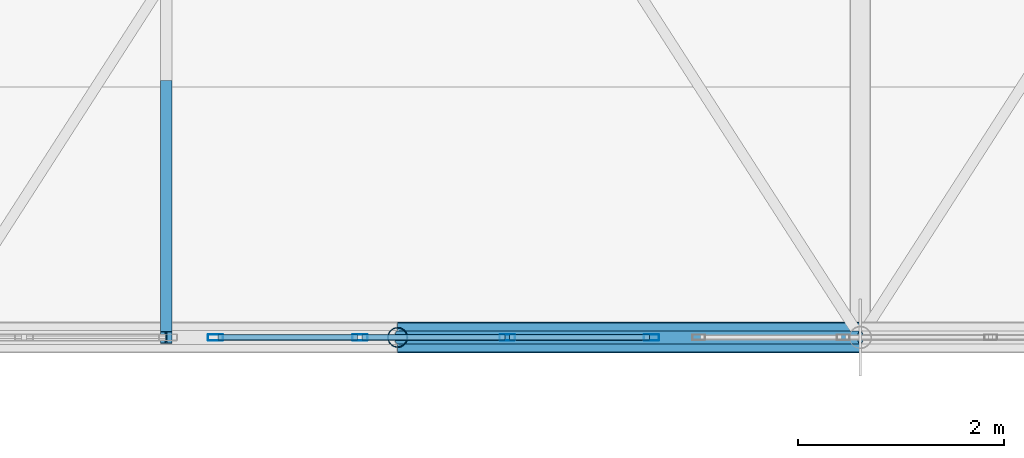
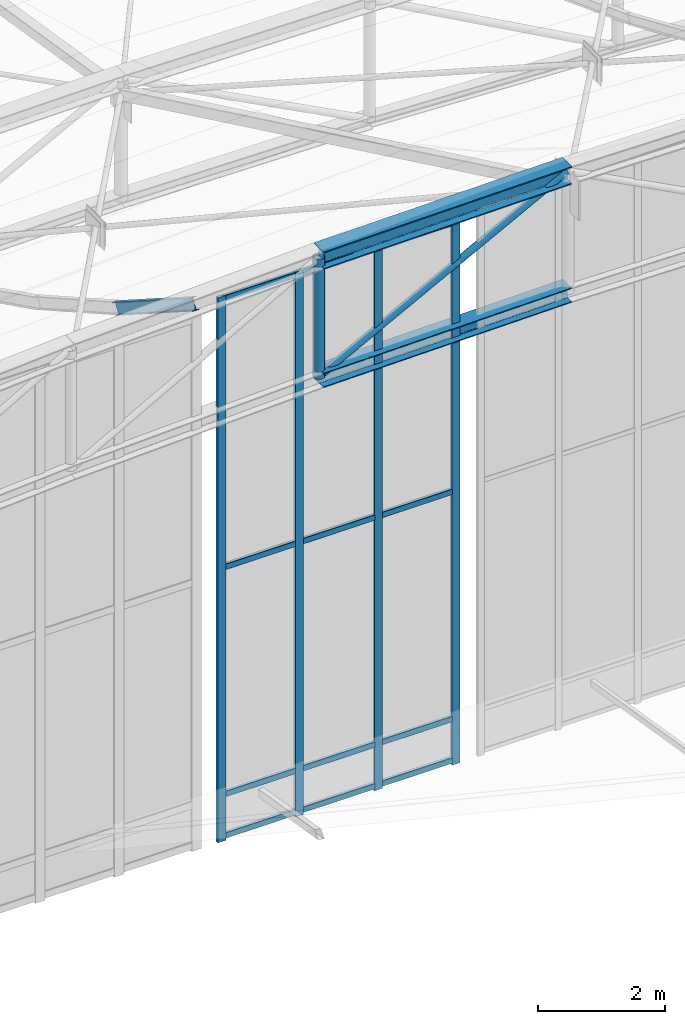
# One storey, part 141 of 262: 21 members, 1 element without a shape of its own.
"""IFC4 building model written with IfcOpenShell, lengths in metres."""

from ifc_helpers import new_model, si_unit, derived_unit, direction, frame, origin, origin_2d, place, context, subcontext, project, spatial, hollow_rectangle, hollow_circle, i_section, extrude, material, layer, layer_set, material_profile, profile_set, type_object, element, aggregate, save


model = new_model("IFC4")

# Units and contexts
model_context = context("Model", 3, precision=1e-05, world=origin(), true_north=direction((0.0, 1.0)))
body_context = subcontext(model_context, "Body", "Model", "MODEL_VIEW")
ifc_project = project(units=[si_unit("LENGTHUNIT", "METRE"), si_unit("AREAUNIT", "SQUARE_METRE"), si_unit("VOLUMEUNIT", "CUBIC_METRE"), si_unit("PLANEANGLEUNIT", "RADIAN"), si_unit("MASSUNIT", "GRAM", prefix="KILO"), derived_unit("THERMALTRANSMITTANCEUNIT", [(si_unit("POWERUNIT", "WATT"), 1), (si_unit("LENGTHUNIT", "METRE"), -2), (si_unit("THERMODYNAMICTEMPERATUREUNIT", "KELVIN"), -1)])], contexts=[model_context])

# Site, building, storey
site_placement = place(None, origin())
site = spatial("IfcSite", under=ifc_project, at=site_placement, CompositionType="ELEMENT")
building_placement = place(site_placement, origin())
building = spatial("IfcBuilding", under=site, at=building_placement, Name="Almenara Railside Exhibition Hall", CompositionType="ELEMENT")
storey_placement = place(building_placement, frame((0.0, 0.0, 21.699951171875)))
storey = spatial("IfcBuildingStorey", under=building, at=storey_placement, Name="RF", CompositionType="ELEMENT", Elevation=21.699951171875)

# Members
ifc_material_1 = material(Name="Structural steel S355JR", Category="steel")
ifc_material_profile_1 = material_profile(ifc_material_1, i_section(OverallWidth=0.280029296875, OverallDepth=0.280029296875, WebThickness=0.010498046875, FlangeThickness=0.01806640625, FilletRadius=0.02392578125, at=origin_2d()), Name="HEB 280")
ifc_profile_set_1 = profile_set([ifc_material_profile_1], Name="Structural steel S355JR")
member_type_1 = type_object("IfcMemberType", Name="Arched Gable Bottom Chord HEB 280 S355JR", PredefinedType="CHORD", material=ifc_profile_set_1)
member_1_placement = place(storey_placement, frame((160.5, 34.0, 1.538818359375), z_axis=(0.999907293085, 0.0, 0.01361635908), x_axis=(0.0, 1.0, 0.0)))
element("IfcMember", 1, at=member_1_placement, inside=storey, type_object=member_type_1, Name="MEM-BC-V2-00-05", PredefinedType="CHORD", context=body_context, shape_type="SweptSolid", body=[
    extrude(i_section(OverallWidth=0.280029296875, OverallDepth=0.280029296875, WebThickness=0.010498046875, FlangeThickness=0.01806640625, FilletRadius=0.02392578125, at=origin_2d()), origin(), (0.0, 0.0, 1.0), 4.50048828125),
])
ifc_material_profile_2 = material_profile(ifc_material_1, i_section(OverallWidth=0.300048828125, OverallDepth=0.340087890625, WebThickness=0.011962890625, FlangeThickness=0.021484375, FilletRadius=0.027099609375, at=origin_2d()), Name="HEB 340")
ifc_profile_set_2 = profile_set([ifc_material_profile_2], Name="Structural steel S355JR")
member_type_2 = type_object("IfcMemberType", Name="Arched Gable Top Chord HEB 340 S355JR", PredefinedType="CHORD", material=ifc_profile_set_2)
member_2_placement = place(storey_placement, frame((160.5, 34.0, 3.8388671875), z_axis=(0.999907293085, 0.0, 0.01361635908), x_axis=(0.0, 1.0, 0.0)))
element("IfcMember", 2, at=member_2_placement, inside=storey, type_object=member_type_2, Name="MEM-TC-V2-00-05", PredefinedType="CHORD", context=body_context, shape_type="SweptSolid", body=[
    extrude(i_section(OverallWidth=0.300048828125, OverallDepth=0.340087890625, WebThickness=0.011962890625, FlangeThickness=0.021484375, FilletRadius=0.027099609375, at=origin_2d()), origin(), (0.0, 0.0, 1.0), 4.50048828125),
])

# Curtain wall, members
ifc_material_2 = material(Name="Bronze-anodised aluminium and low-E double glazing", Category="aluminium")
ifc_layer = layer(ifc_material_2, 0.179931640625, Name="Bronze-anodised aluminium and low-E double glazing")
ifc_layer_set = layer_set([ifc_layer], Name="Bronze-anodised aluminium and low-E double glazing")
curtain_wall_type = type_object("IfcCurtainWallType", Name="Scroll Gable Tall Curtain Wall 3800x5400", PredefinedType="NOTDEFINED", material=ifc_layer_set)
curtain_wall_placement = place(storey_placement, origin())
curtain_wall = element("IfcCurtainWall", 3, at=curtain_wall_placement, inside=storey, type_object=curtain_wall_type, Name="Curtain wall CW-G1-218", PredefinedType="NOTDEFINED")
ifc_material_3 = material(Name="Bronze-anodised aluminium", Category="aluminium")
ifc_material_profile_3 = material_profile(ifc_material_3, hollow_rectangle(XDim=0.06005859375, YDim=0.14990234375, WallThickness=0.00341796875, InnerFilletRadius=0.00341796875, OuterFilletRadius=0.007080078125, at=origin_2d()), Name="ALU-MUL 60x150x3.5")
ifc_profile_set_3 = profile_set([ifc_material_profile_3], Name="Bronze-anodised aluminium")
member_type_3 = type_object("IfcMemberType", Name="Curtain Wall Mullion 60x150x3.5", PredefinedType="MULLION", material=ifc_profile_set_3)
member_3_placement = place(storey_placement, frame((158.72998046875, 34.0, -6.73486328125), z_axis=(0.0, 0.0, 1.0), x_axis=(0.0, 1.0, 0.0)))
member_3 = element("IfcMember", 4, at=member_3_placement, type_object=member_type_3, Name="CW-G1-218 mullion 1", PredefinedType="MULLION", context=body_context, shape_type="SweptSolid", body=[
    extrude(hollow_rectangle(XDim=0.06005859375, YDim=0.14990234375, WallThickness=0.00341796875, InnerFilletRadius=0.00341796875, OuterFilletRadius=0.007080078125, at=origin_2d()), origin(), (0.0, 0.0, 1.0), 10.434814453125),
])
member_4_placement = place(storey_placement, frame((160.13330078125, 34.0, -6.73486328125), z_axis=(0.0, 0.0, 1.0), x_axis=(0.0, 1.0, 0.0)))
member_4 = element("IfcMember", 5, at=member_4_placement, type_object=member_type_3, Name="CW-G1-218 mullion 2", PredefinedType="MULLION", context=body_context, shape_type="SweptSolid", body=[
    extrude(hollow_rectangle(XDim=0.06005859375, YDim=0.14990234375, WallThickness=0.00341796875, InnerFilletRadius=0.00341796875, OuterFilletRadius=0.007080078125, at=origin_2d()), origin(), (0.0, 0.0, 1.0), 10.434814453125),
])
member_5_placement = place(storey_placement, frame((161.566650390625, 34.0, -6.73486328125), z_axis=(0.0, 0.0, 1.0), x_axis=(0.0, 1.0, 0.0)))
member_5 = element("IfcMember", 6, at=member_5_placement, type_object=member_type_3, Name="CW-G1-218 mullion 3", PredefinedType="MULLION", context=body_context, shape_type="SweptSolid", body=[
    extrude(hollow_rectangle(XDim=0.06005859375, YDim=0.14990234375, WallThickness=0.00341796875, InnerFilletRadius=0.00341796875, OuterFilletRadius=0.007080078125, at=origin_2d()), origin(), (0.0, 0.0, 1.0), 10.434814453125),
])
member_6_placement = place(storey_placement, frame((162.969970703125, 34.0, -6.73486328125), z_axis=(0.0, 0.0, 1.0), x_axis=(0.0, 1.0, 0.0)))
member_6 = element("IfcMember", 7, at=member_6_placement, type_object=member_type_3, Name="CW-G1-218 mullion 4", PredefinedType="MULLION", context=body_context, shape_type="SweptSolid", body=[
    extrude(hollow_rectangle(XDim=0.06005859375, YDim=0.14990234375, WallThickness=0.00341796875, InnerFilletRadius=0.00341796875, OuterFilletRadius=0.007080078125, at=origin_2d()), origin(), (0.0, 0.0, 1.0), 10.434814453125),
])
ifc_material_profile_4 = material_profile(ifc_material_3, hollow_rectangle(XDim=0.06005859375, YDim=0.110107421875, WallThickness=0.0029296875, InnerFilletRadius=0.0029296875, OuterFilletRadius=0.006103515625, at=origin_2d()), Name="ALU-TRN 60x110x3")
ifc_profile_set_4 = profile_set([ifc_material_profile_4], Name="Bronze-anodised aluminium")
member_type_4 = type_object("IfcMemberType", Name="Curtain Wall Transom 60x110x3", PredefinedType="USERDEFINED", material=ifc_profile_set_4)
member_7_placement = place(storey_placement, frame((158.751953125, 34.0, -6.64501953125), z_axis=(1.0, 0.0, 0.0), x_axis=(0.0, 1.0, 0.0)))
member_7 = element("IfcMember", 8, at=member_7_placement, type_object=member_type_4, Name="CW-G1-218 transom 1.1", ObjectType="TRANSOM", PredefinedType="USERDEFINED", context=body_context, shape_type="SweptSolid", body=[
    extrude(hollow_rectangle(XDim=0.06005859375, YDim=0.110107421875, WallThickness=0.0029296875, InnerFilletRadius=0.0029296875, OuterFilletRadius=0.006103515625, at=origin_2d()), origin(), (0.0, 0.0, 1.0), 1.359375),
])
member_8_placement = place(storey_placement, frame((158.751953125, 34.0, -5.849853515625), z_axis=(1.0, 0.0, 0.0), x_axis=(0.0, 1.0, 0.0)))
member_8 = element("IfcMember", 9, at=member_8_placement, type_object=member_type_4, Name="CW-G1-218 transom 1.2", ObjectType="TRANSOM", PredefinedType="USERDEFINED", context=body_context, shape_type="SweptSolid", body=[
    extrude(hollow_rectangle(XDim=0.06005859375, YDim=0.110107421875, WallThickness=0.0029296875, InnerFilletRadius=0.0029296875, OuterFilletRadius=0.006103515625, at=origin_2d()), origin(), (0.0, 0.0, 1.0), 1.359375),
])
member_9_placement = place(storey_placement, frame((158.751953125, 34.0, -1.5), z_axis=(1.0, 0.0, 0.0), x_axis=(0.0, 1.0, 0.0)))
member_9 = element("IfcMember", 10, at=member_9_placement, type_object=member_type_4, Name="CW-G1-218 transom 1.3", ObjectType="TRANSOM", PredefinedType="USERDEFINED", context=body_context, shape_type="SweptSolid", body=[
    extrude(hollow_rectangle(XDim=0.06005859375, YDim=0.110107421875, WallThickness=0.0029296875, InnerFilletRadius=0.0029296875, OuterFilletRadius=0.006103515625, at=origin_2d()), origin(), (0.0, 0.0, 1.0), 1.359375),
])
member_10_placement = place(storey_placement, frame((158.751953125, 34.0, 3.64501953125), z_axis=(1.0, 0.0, 0.0), x_axis=(0.0, 1.0, 0.0)))
member_10 = element("IfcMember", 11, at=member_10_placement, type_object=member_type_4, Name="CW-G1-218 transom 1.4", ObjectType="TRANSOM", PredefinedType="USERDEFINED", context=body_context, shape_type="SweptSolid", body=[
    extrude(hollow_rectangle(XDim=0.06005859375, YDim=0.110107421875, WallThickness=0.0029296875, InnerFilletRadius=0.0029296875, OuterFilletRadius=0.006103515625, at=origin_2d()), origin(), (0.0, 0.0, 1.0), 1.359375),
])
member_11_placement = place(storey_placement, frame((160.1552734375, 34.0, -6.64501953125), z_axis=(1.0, 0.0, 0.0), x_axis=(0.0, 1.0, 0.0)))
member_11 = element("IfcMember", 12, at=member_11_placement, type_object=member_type_4, Name="CW-G1-218 transom 2.1", ObjectType="TRANSOM", PredefinedType="USERDEFINED", context=body_context, shape_type="SweptSolid", body=[
    extrude(hollow_rectangle(XDim=0.06005859375, YDim=0.110107421875, WallThickness=0.0029296875, InnerFilletRadius=0.0029296875, OuterFilletRadius=0.006103515625, at=origin_2d()), origin(), (0.0, 0.0, 1.0), 1.389404296875),
])
member_12_placement = place(storey_placement, frame((160.1552734375, 34.0, -5.849853515625), z_axis=(1.0, 0.0, 0.0), x_axis=(0.0, 1.0, 0.0)))
member_12 = element("IfcMember", 13, at=member_12_placement, type_object=member_type_4, Name="CW-G1-218 transom 2.2", ObjectType="TRANSOM", PredefinedType="USERDEFINED", context=body_context, shape_type="SweptSolid", body=[
    extrude(hollow_rectangle(XDim=0.06005859375, YDim=0.110107421875, WallThickness=0.0029296875, InnerFilletRadius=0.0029296875, OuterFilletRadius=0.006103515625, at=origin_2d()), origin(), (0.0, 0.0, 1.0), 1.389404296875),
])
member_13_placement = place(storey_placement, frame((160.1552734375, 34.0, -1.5), z_axis=(1.0, 0.0, 0.0), x_axis=(0.0, 1.0, 0.0)))
member_13 = element("IfcMember", 14, at=member_13_placement, type_object=member_type_4, Name="CW-G1-218 transom 2.3", ObjectType="TRANSOM", PredefinedType="USERDEFINED", context=body_context, shape_type="SweptSolid", body=[
    extrude(hollow_rectangle(XDim=0.06005859375, YDim=0.110107421875, WallThickness=0.0029296875, InnerFilletRadius=0.0029296875, OuterFilletRadius=0.006103515625, at=origin_2d()), origin(), (0.0, 0.0, 1.0), 1.389404296875),
])
member_14_placement = place(storey_placement, frame((160.1552734375, 34.0, 3.64501953125), z_axis=(1.0, 0.0, 0.0), x_axis=(0.0, 1.0, 0.0)))
member_14 = element("IfcMember", 15, at=member_14_placement, type_object=member_type_4, Name="CW-G1-218 transom 2.4", ObjectType="TRANSOM", PredefinedType="USERDEFINED", context=body_context, shape_type="SweptSolid", body=[
    extrude(hollow_rectangle(XDim=0.06005859375, YDim=0.110107421875, WallThickness=0.0029296875, InnerFilletRadius=0.0029296875, OuterFilletRadius=0.006103515625, at=origin_2d()), origin(), (0.0, 0.0, 1.0), 1.389404296875),
])
member_15_placement = place(storey_placement, frame((161.588623046875, 34.0, -6.64501953125), z_axis=(1.0, 0.0, 0.0), x_axis=(0.0, 1.0, 0.0)))
member_15 = element("IfcMember", 16, at=member_15_placement, type_object=member_type_4, Name="CW-G1-218 transom 3.1", ObjectType="TRANSOM", PredefinedType="USERDEFINED", context=body_context, shape_type="SweptSolid", body=[
    extrude(hollow_rectangle(XDim=0.06005859375, YDim=0.110107421875, WallThickness=0.0029296875, InnerFilletRadius=0.0029296875, OuterFilletRadius=0.006103515625, at=origin_2d()), origin(), (0.0, 0.0, 1.0), 1.359375),
])
member_16_placement = place(storey_placement, frame((161.588623046875, 34.0, -5.849853515625), z_axis=(1.0, 0.0, 0.0), x_axis=(0.0, 1.0, 0.0)))
member_16 = element("IfcMember", 17, at=member_16_placement, type_object=member_type_4, Name="CW-G1-218 transom 3.2", ObjectType="TRANSOM", PredefinedType="USERDEFINED", context=body_context, shape_type="SweptSolid", body=[
    extrude(hollow_rectangle(XDim=0.06005859375, YDim=0.110107421875, WallThickness=0.0029296875, InnerFilletRadius=0.0029296875, OuterFilletRadius=0.006103515625, at=origin_2d()), origin(), (0.0, 0.0, 1.0), 1.359375),
])
member_17_placement = place(storey_placement, frame((161.588623046875, 34.0, -1.5), z_axis=(1.0, 0.0, 0.0), x_axis=(0.0, 1.0, 0.0)))
member_17 = element("IfcMember", 18, at=member_17_placement, type_object=member_type_4, Name="CW-G1-218 transom 3.3", ObjectType="TRANSOM", PredefinedType="USERDEFINED", context=body_context, shape_type="SweptSolid", body=[
    extrude(hollow_rectangle(XDim=0.06005859375, YDim=0.110107421875, WallThickness=0.0029296875, InnerFilletRadius=0.0029296875, OuterFilletRadius=0.006103515625, at=origin_2d()), origin(), (0.0, 0.0, 1.0), 1.359375),
])
member_18_placement = place(storey_placement, frame((161.588623046875, 34.0, 3.64501953125), z_axis=(1.0, 0.0, 0.0), x_axis=(0.0, 1.0, 0.0)))
member_18 = element("IfcMember", 19, at=member_18_placement, type_object=member_type_4, Name="CW-G1-218 transom 3.4", ObjectType="TRANSOM", PredefinedType="USERDEFINED", context=body_context, shape_type="SweptSolid", body=[
    extrude(hollow_rectangle(XDim=0.06005859375, YDim=0.110107421875, WallThickness=0.0029296875, InnerFilletRadius=0.0029296875, OuterFilletRadius=0.006103515625, at=origin_2d()), origin(), (0.0, 0.0, 1.0), 1.359375),
])
aggregate(curtain_wall, [member_3, member_4, member_5, member_6, member_7, member_8, member_9, member_10, member_11, member_12, member_13, member_14, member_15, member_16, member_17, member_18])

# Members
ifc_material_profile_5 = material_profile(ifc_material_1, i_section(OverallWidth=0.110107421875, OverallDepth=0.219970703125, WebThickness=0.005859375, FlangeThickness=0.00927734375, FilletRadius=0.011962890625, at=origin_2d()), Name="IPE 220")
ifc_profile_set_5 = profile_set([ifc_material_profile_5], Name="Structural steel S355JR")
member_type_5 = type_object("IfcMemberType", Name="Heavy Hall Roof Purlin IPE 220 S355JR", PredefinedType="PURLIN", material=ifc_profile_set_5)
member_19_placement = place(storey_placement, frame((158.25, 34.0, 3.716064453125), z_axis=(0.0, 0.842226955435, -0.539123135785), x_axis=(-1.0, 0.0, 0.0)))
element("IfcMember", 20, at=member_19_placement, inside=storey, type_object=member_type_5, Name="MEM-PR-V2-PR-IPE220-03-00", PredefinedType="PURLIN", context=body_context, shape_type="SweptSolid", body=[
    extrude(i_section(OverallWidth=0.110107421875, OverallDepth=0.219970703125, WebThickness=0.005859375, FlangeThickness=0.00927734375, FilletRadius=0.011962890625, at=origin_2d()), origin(), (0.0, 0.0, 1.0), 2.893310546875),
])
ifc_material_profile_6 = material_profile(ifc_material_1, hollow_circle(Radius=0.0634765625, WallThickness=0.00439453125, at=origin_2d()), Name="CHS 127.0x4.5")
ifc_profile_set_6 = profile_set([ifc_material_profile_6], Name="Structural steel S355JR")
member_type_6 = type_object("IfcMemberType", Name="Truss Crown Diagonal CHS 127.0x4.5 S355JR", PredefinedType="BRACE", material=ifc_profile_set_6)
member_20_placement = place(storey_placement, frame((160.5, 34.0, 1.538818359375), z_axis=(0.885492789601, 0.0, 0.46465311746), x_axis=(0.0, 1.0, 0.0)))
element("IfcMember", 21, at=member_20_placement, inside=storey, type_object=member_type_6, Name="MEM-TD-V2-00-05", PredefinedType="BRACE", context=body_context, shape_type="SweptSolid", body=[
    extrude(hollow_circle(Radius=0.0634765625, WallThickness=0.00439453125, at=origin_2d()), origin(), (0.0, 0.0, 1.0), 5.08203125),
])
ifc_material_profile_7 = material_profile(ifc_material_1, hollow_circle(Radius=0.096923828125, WallThickness=0.00634765625, at=origin_2d()), Name="CHS 193.7x6.3")
ifc_profile_set_7 = profile_set([ifc_material_profile_7], Name="Structural steel S355JR")
member_type_7 = type_object("IfcMemberType", Name="Truss Standard Vertical Strut CHS 193.7x6.3 S355JR", PredefinedType="BRACE", material=ifc_profile_set_7)
member_21_placement = place(storey_placement, frame((160.5, 34.0, 1.538818359375), z_axis=(0.0, 0.0, 1.0), x_axis=(1.0, 0.0, 0.0)))
element("IfcMember", 22, at=member_21_placement, inside=storey, type_object=member_type_7, Name="MEM-TV-V2-00-05", PredefinedType="BRACE", context=body_context, shape_type="SweptSolid", body=[
    extrude(hollow_circle(Radius=0.096923828125, WallThickness=0.00634765625, at=origin_2d()), origin(), (0.0, 0.0, 1.0), 2.300048828125),
])

save(model, "model.ifc")
